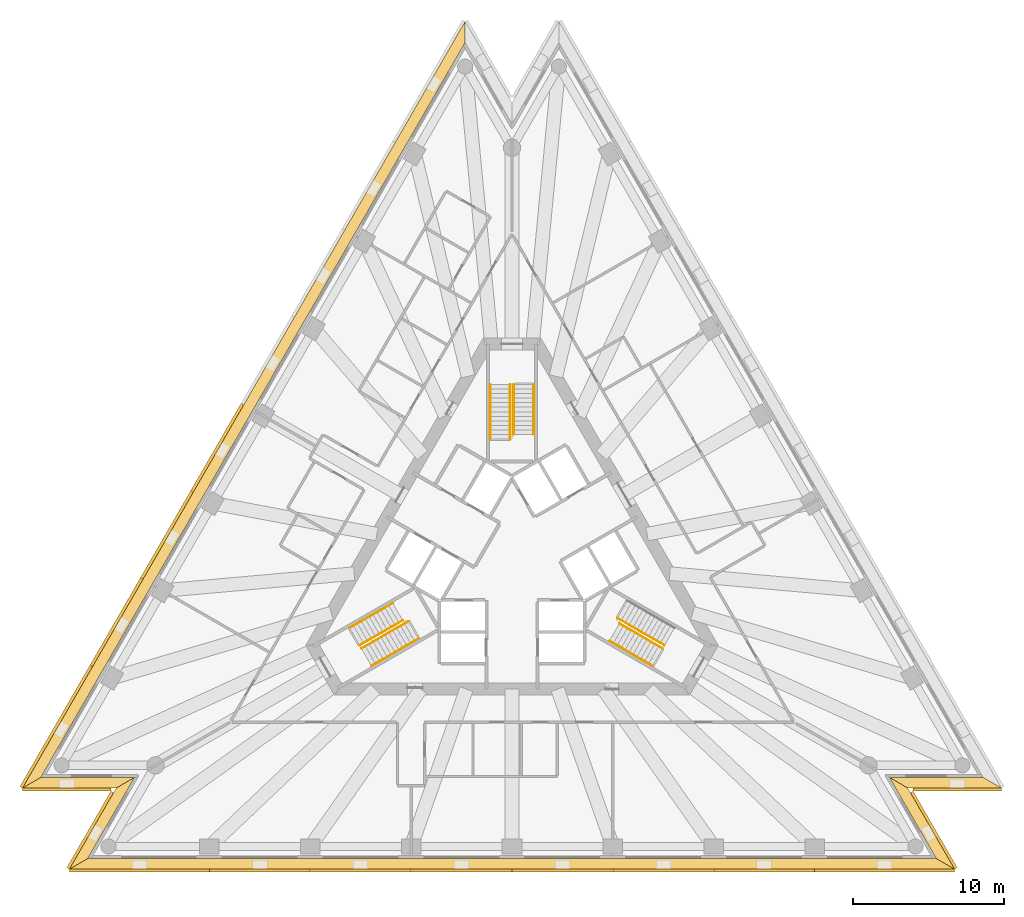
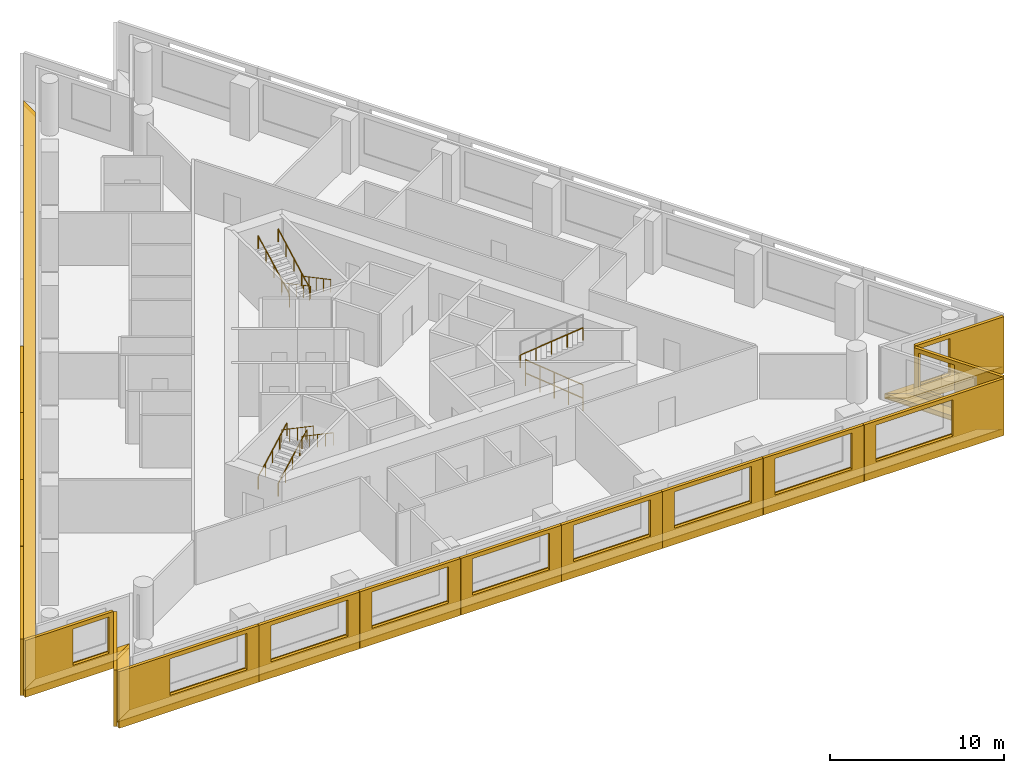
# One storey, part 8 of 9: 22 shading devices, 11 railings, 6 coverings, 3 elements without a shape of their own.
"""IFC4 building model written with IfcOpenShell, lengths in metres."""

from ifc_helpers import new_model, si_unit, direction, frame, origin, origin_2d, place, context, subcontext, project, spatial, polyline, circle, outline, extrude, material, layer, layer_set, layer_usage, type_object, element, aggregate, save


model = new_model("IFC4")

# Units and contexts
model_context = context("Model", 3, precision=1e-05, world=origin(), true_north=direction((0.0, 1.0)))
body_context = subcontext(model_context, "Body", "Model", "MODEL_VIEW")
ifc_project = project(units=[si_unit("LENGTHUNIT", "METRE"), si_unit("AREAUNIT", "SQUARE_METRE"), si_unit("VOLUMEUNIT", "CUBIC_METRE"), si_unit("PLANEANGLEUNIT", "RADIAN"), si_unit("MASSUNIT", "GRAM", prefix="KILO")], contexts=[model_context])

# Site, building, storey
site_placement = place(None, origin())
site = spatial("IfcSite", under=ifc_project, at=site_placement, CompositionType="ELEMENT")
building_placement = place(site_placement, origin())
building = spatial("IfcBuilding", under=site, at=building_placement, Name="Triada Interchange Tower", CompositionType="ELEMENT")
storey_placement = place(building_placement, frame((0.0, 0.0, 148.300048828125)))
storey = spatial("IfcBuildingStorey", under=building, at=storey_placement, Name="L34", CompositionType="ELEMENT", Elevation=148.300048828125)

# Coverings
ifc_material_1 = material(Name="Mineral fire-stop board")
ifc_layer_1 = layer(ifc_material_1, 0.0400390625, Name="Mineral fire-stop board")
ifc_material_2 = material(Name="Intumescent sealant")
ifc_layer_2 = layer(ifc_material_2, 0.010009765625, Name="Intumescent seal")
ifc_layer_set_1 = layer_set([ifc_layer_1, ifc_layer_2], Name="Cavity fire stop")
ifc_layer_usage = layer_usage(ifc_layer_set_1, "AXIS3", "POSITIVE", 0.0)
covering_type = type_object("IfcCoveringType", Name="Cavity fire stop", PredefinedType="INSULATION", material=ifc_layer_set_1)
covering_1_placement = place(storey_placement, origin())
element("IfcCovering", 1, at=covering_1_placement, inside=storey, type_object=covering_type, material=ifc_layer_usage, Name="Cavity fire stop L34 NW", PredefinedType="INSULATION", context=body_context, shape_type="SweptSolid", body=[
    extrude(outline(polyline([(-3.10791015625, 34.2939453125), (-3.10791015625, 35.694091796875), (-32.466064453125, -15.155029296875), (-31.25390625, -14.455078125), (-3.10791015625, 34.2939453125)])), origin(), (0.0, 0.0, 1.0), 0.050048828125),
])
covering_2_placement = place(storey_placement, origin())
element("IfcCovering", 2, at=covering_2_placement, inside=storey, type_object=covering_type, material=ifc_layer_usage, Name="Cavity fire stop L34 SW-1", PredefinedType="INSULATION", context=body_context, shape_type="SweptSolid", body=[
    extrude(outline(polyline([(-31.25390625, -14.455078125), (-32.466064453125, -15.155029296875), (-26.25, -15.155029296875), (-25.0380859375, -14.455078125), (-31.25390625, -14.455078125)])), origin(), (0.0, 0.0, 1.0), 0.050048828125),
])
covering_3_placement = place(storey_placement, origin())
element("IfcCovering", 3, at=covering_3_placement, inside=storey, type_object=covering_type, material=ifc_layer_usage, Name="Cavity fire stop L34 SW-2", PredefinedType="INSULATION", context=body_context, shape_type="SweptSolid", body=[
    extrude(outline(polyline([(-25.0380859375, -14.455078125), (-26.25, -15.155029296875), (-29.35791015625, -20.5390625), (-28.14599609375, -19.839111328125), (-25.0380859375, -14.455078125)])), origin(), (0.0, 0.0, 1.0), 0.050048828125),
])
covering_4_placement = place(storey_placement, origin())
element("IfcCovering", 4, at=covering_4_placement, inside=storey, type_object=covering_type, material=ifc_layer_usage, Name="Cavity fire stop L34 S", PredefinedType="INSULATION", context=body_context, shape_type="SweptSolid", body=[
    extrude(outline(polyline([(-28.14599609375, -19.839111328125), (-29.35791015625, -20.5390625), (29.35791015625, -20.5390625), (28.14599609375, -19.839111328125), (-28.14599609375, -19.839111328125)])), origin(), (0.0, 0.0, 1.0), 0.050048828125),
])
covering_5_placement = place(storey_placement, origin())
element("IfcCovering", 5, at=covering_5_placement, inside=storey, type_object=covering_type, material=ifc_layer_usage, Name="Cavity fire stop L34 SE-1", PredefinedType="INSULATION", context=body_context, shape_type="SweptSolid", body=[
    extrude(outline(polyline([(28.14599609375, -19.839111328125), (29.35791015625, -20.5390625), (26.25, -15.155029296875), (25.0380859375, -14.455078125), (28.14599609375, -19.839111328125)])), origin(), (0.0, 0.0, 1.0), 0.050048828125),
])
covering_6_placement = place(storey_placement, origin())
element("IfcCovering", 6, at=covering_6_placement, inside=storey, type_object=covering_type, material=ifc_layer_usage, Name="Cavity fire stop L34 SE-2", PredefinedType="INSULATION", context=body_context, shape_type="SweptSolid", body=[
    extrude(outline(polyline([(25.0380859375, -14.455078125), (26.25, -15.155029296875), (32.466064453125, -15.155029296875), (31.25390625, -14.455078125), (25.0380859375, -14.455078125)])), origin(), (0.0, 0.0, 1.0), 0.050048828125),
])

# Shading devices
ifc_material_3 = material(Name="Aluminium louvre", Category="aluminium")
shading_device_type_1 = type_object("IfcShadingDeviceType", Name="Cavity louvre grille", PredefinedType="JALOUSIE", material=ifc_material_3)
shading_device_1_placement = place(storey_placement, frame((0.0, 0.0, 0.050048828125)))
element("IfcShadingDevice", 7, at=shading_device_1_placement, inside=storey, type_object=shading_device_type_1, Name="Cavity louvre grille L34 NW", PredefinedType="JALOUSIE", context=body_context, shape_type="SweptSolid", body=[
    extrude(outline(polyline([(-3.10791015625, 34.2939453125), (-3.10791015625, 35.694091796875), (-32.466064453125, -15.155029296875), (-31.25390625, -14.455078125), (-3.10791015625, 34.2939453125)])), origin(), (0.0, 0.0, 1.0), 0.2998046875),
])
shading_device_2_placement = place(storey_placement, frame((0.0, 0.0, 0.050048828125)))
element("IfcShadingDevice", 8, at=shading_device_2_placement, inside=storey, type_object=shading_device_type_1, Name="Cavity louvre grille L34 SW-1", PredefinedType="JALOUSIE", context=body_context, shape_type="SweptSolid", body=[
    extrude(outline(polyline([(-31.25390625, -14.455078125), (-32.466064453125, -15.155029296875), (-26.25, -15.155029296875), (-25.0380859375, -14.455078125), (-31.25390625, -14.455078125)])), origin(), (0.0, 0.0, 1.0), 0.2998046875),
])
shading_device_3_placement = place(storey_placement, frame((0.0, 0.0, 0.050048828125)))
element("IfcShadingDevice", 9, at=shading_device_3_placement, inside=storey, type_object=shading_device_type_1, Name="Cavity louvre grille L34 SW-2", PredefinedType="JALOUSIE", context=body_context, shape_type="SweptSolid", body=[
    extrude(outline(polyline([(-25.0380859375, -14.455078125), (-26.25, -15.155029296875), (-29.35791015625, -20.5390625), (-28.14599609375, -19.839111328125), (-25.0380859375, -14.455078125)])), origin(), (0.0, 0.0, 1.0), 0.2998046875),
])
shading_device_4_placement = place(storey_placement, frame((0.0, 0.0, 0.050048828125)))
element("IfcShadingDevice", 10, at=shading_device_4_placement, inside=storey, type_object=shading_device_type_1, Name="Cavity louvre grille L34 S", PredefinedType="JALOUSIE", context=body_context, shape_type="SweptSolid", body=[
    extrude(outline(polyline([(-28.14599609375, -19.839111328125), (-29.35791015625, -20.5390625), (29.35791015625, -20.5390625), (28.14599609375, -19.839111328125), (-28.14599609375, -19.839111328125)])), origin(), (0.0, 0.0, 1.0), 0.2998046875),
])
shading_device_5_placement = place(storey_placement, frame((0.0, 0.0, 0.050048828125)))
element("IfcShadingDevice", 11, at=shading_device_5_placement, inside=storey, type_object=shading_device_type_1, Name="Cavity louvre grille L34 SE-1", PredefinedType="JALOUSIE", context=body_context, shape_type="SweptSolid", body=[
    extrude(outline(polyline([(28.14599609375, -19.839111328125), (29.35791015625, -20.5390625), (26.25, -15.155029296875), (25.0380859375, -14.455078125), (28.14599609375, -19.839111328125)])), origin(), (0.0, 0.0, 1.0), 0.2998046875),
])
shading_device_6_placement = place(storey_placement, frame((0.0, 0.0, 0.050048828125)))
element("IfcShadingDevice", 12, at=shading_device_6_placement, inside=storey, type_object=shading_device_type_1, Name="Cavity louvre grille L34 SE-2", PredefinedType="JALOUSIE", context=body_context, shape_type="SweptSolid", body=[
    extrude(outline(polyline([(25.0380859375, -14.455078125), (26.25, -15.155029296875), (32.466064453125, -15.155029296875), (31.25390625, -14.455078125), (25.0380859375, -14.455078125)])), origin(), (0.0, 0.0, 1.0), 0.2998046875),
])
ifc_material_4 = material(Name="Concrete C50/60 precast", Category="concrete")
ifc_layer_3 = layer(ifc_material_4, 0.02001953125, Name="Exposed aggregate face")
ifc_layer_4 = layer(ifc_material_4, 0.179931640625, Name="Precast concrete screen")
ifc_layer_set_2 = layer_set([ifc_layer_3, ifc_layer_4], Name="Outer skin screen panel 3980")
shading_device_type_2 = type_object("IfcShadingDeviceType", Name="Outer skin screen panel 3980", PredefinedType="SHUTTER", material=ifc_layer_set_2)
shading_device_7_placement = place(storey_placement, frame((-17.7919921875, 10.260986328125, -0.2900390625), z_axis=(0.0, 0.0, 1.0), x_axis=(-0.500028753158, -0.866008802504, 0.0)))
element("IfcShadingDevice", 13, at=shading_device_7_placement, inside=storey, type_object=shading_device_type_2, Name="Outer skin screen panel L34 05", PredefinedType="SHUTTER", context=body_context, shape_type="SweptSolid", body=[
    extrude(outline(polyline([(0.0, 0.0), (6.66943359375, 0.0), (6.66943359375, 3.97998046875), (0.0, 3.97998046875), (0.0, 0.0)]), holes=[polyline([(0.784912109375, 1.139892578125), (0.784912109375, 3.68994140625), (5.884765625, 3.68994140625), (5.884765625, 1.139892578125), (0.784912109375, 1.139892578125)])]), frame((0.0, 0.0, 0.0), z_axis=(0.0, -1.0, 0.0), x_axis=(1.0, 0.0, 0.0)), (0.0, 0.0, 1.0), 0.199951171875),
])
shading_device_8_placement = place(storey_placement, frame((-21.136962890625, 4.467041015625, -0.2900390625), z_axis=(0.0, 0.0, 1.0), x_axis=(-0.500012902398, -0.866017954453, 0.0)))
element("IfcShadingDevice", 14, at=shading_device_8_placement, inside=storey, type_object=shading_device_type_2, Name="Outer skin screen panel L34 06", PredefinedType="SHUTTER", context=body_context, shape_type="SweptSolid", body=[
    extrude(outline(polyline([(0.0, 0.0), (6.669677734375, 0.0), (6.669677734375, 3.97998046875), (0.0, 3.97998046875), (0.0, 0.0)]), holes=[polyline([(0.784912109375, 1.139892578125), (0.784912109375, 3.68994140625), (5.885009765625, 3.68994140625), (5.885009765625, 1.139892578125), (0.784912109375, 1.139892578125)])]), frame((0.0, 0.0, 0.0), z_axis=(0.0, -1.0, 0.0), x_axis=(1.0, 0.0, 0.0)), (0.0, 0.0, 1.0), 0.199951171875),
])
shading_device_9_placement = place(storey_placement, frame((-24.48193359375, -1.325927734375, -0.2900390625), z_axis=(0.0, 0.0, 1.0), x_axis=(-0.499949507731, -0.866054553547, 0.0)))
element("IfcShadingDevice", 15, at=shading_device_9_placement, inside=storey, type_object=shading_device_type_2, Name="Outer skin screen panel L34 07", PredefinedType="SHUTTER", context=body_context, shape_type="SweptSolid", body=[
    extrude(outline(polyline([(0.0, 0.0), (6.670654296875, 0.0), (6.670654296875, 3.97998046875), (0.0, 3.97998046875), (0.0, 0.0)]), holes=[polyline([(0.784912109375, 1.139892578125), (0.784912109375, 3.68994140625), (5.885009765625, 3.68994140625), (5.885009765625, 1.139892578125), (0.784912109375, 1.139892578125)])]), frame((0.0, 0.0, 0.0), z_axis=(0.0, -1.0, 0.0), x_axis=(1.0, 0.0, 0.0)), (0.0, 0.0, 1.0), 0.199951171875),
])
shading_device_10_placement = place(storey_placement, frame((-27.826904296875, -7.1201171875, -0.2900390625), z_axis=(0.0, 0.0, 1.0), x_axis=(-0.500023456952, -0.866011860483, 0.0)))
element("IfcShadingDevice", 16, at=shading_device_10_placement, inside=storey, type_object=shading_device_type_2, Name="Outer skin screen panel L34 08", PredefinedType="SHUTTER", context=body_context, shape_type="SweptSolid", body=[
    extrude(outline(polyline([(0.0, 0.0), (9.267578125, 0.0), (9.267578125, 3.97998046875), (0.0, 3.97998046875), (0.0, 0.0)]), holes=[polyline([(0.784912109375, 1.139892578125), (0.784912109375, 3.68994140625), (5.885009765625, 3.68994140625), (5.885009765625, 1.139892578125), (0.784912109375, 1.139892578125)])]), frame((0.0, 0.0, 0.0), z_axis=(0.0, -1.0, 0.0), x_axis=(1.0, 0.0, 0.0)), (0.0, 0.0, 1.0), 0.199951171875),
])
shading_device_11_placement = place(storey_placement, frame((-32.4560546875, -15.155029296875, -0.2900390625), z_axis=(0.0, 0.0, 1.0), x_axis=(1.0, 0.0, 0.0)))
element("IfcShadingDevice", 17, at=shading_device_11_placement, inside=storey, type_object=shading_device_type_2, Name="Outer skin screen panel L34 09", PredefinedType="SHUTTER", context=body_context, shape_type="SweptSolid", body=[
    extrude(outline(polyline([(0.0, 0.0), (5.84912109375, 0.0), (5.84912109375, 3.97998046875), (0.0, 3.97998046875), (0.0, 0.0)]), holes=[polyline([(3.175048828125, 1.139892578125), (3.175048828125, 3.68994140625), (5.549072265625, 3.68994140625), (5.549072265625, 1.139892578125), (3.175048828125, 1.139892578125)])]), frame((0.0, 0.0, 0.0), z_axis=(0.0, -1.0, 0.0), x_axis=(1.0, 0.0, 0.0)), (0.0, 0.0, 1.0), 0.199951171875),
])
shading_device_12_placement = place(storey_placement, frame((-26.427978515625, -15.464111328125, -0.2900390625), z_axis=(0.0, 0.0, 1.0), x_axis=(-0.500030735058, -0.866007658163, 0.0)))
element("IfcShadingDevice", 18, at=shading_device_12_placement, inside=storey, type_object=shading_device_type_2, Name="Outer skin screen panel L34 10", PredefinedType="SHUTTER", context=body_context, shape_type="SweptSolid", body=[
    extrude(outline(polyline([(0.0, 0.0), (5.849853515625, 0.0), (5.849853515625, 3.97998046875), (0.0, 3.97998046875), (0.0, 0.0)]), holes=[polyline([(0.300048828125, 1.139892578125), (0.300048828125, 3.68994140625), (2.258056640625, 3.68994140625), (2.258056640625, 1.139892578125), (0.300048828125, 1.139892578125)])]), frame((0.0, 0.0, 0.0), z_axis=(0.0, -1.0, 0.0), x_axis=(1.0, 0.0, 0.0)), (0.0, 0.0, 1.0), 0.199951171875),
])
shading_device_13_placement = place(storey_placement, frame((-29.347900390625, -20.5390625, -0.2900390625), z_axis=(0.0, 0.0, 1.0), x_axis=(1.0, 0.0, 0.0)))
element("IfcShadingDevice", 19, at=shading_device_13_placement, inside=storey, type_object=shading_device_type_2, Name="Outer skin screen panel L34 11", PredefinedType="SHUTTER", context=body_context, shape_type="SweptSolid", body=[
    extrude(outline(polyline([(0.0, 0.0), (9.267822265625, 0.0), (9.267822265625, 3.97998046875), (0.0, 3.97998046875), (0.0, 0.0)]), holes=[polyline([(3.383056640625, 1.139892578125), (3.383056640625, 3.68994140625), (8.48291015625, 3.68994140625), (8.48291015625, 1.139892578125), (3.383056640625, 1.139892578125)])]), frame((0.0, 0.0, 0.0), z_axis=(0.0, -1.0, 0.0), x_axis=(1.0, 0.0, 0.0)), (0.0, 0.0, 1.0), 0.199951171875),
])
for number, where, z_axis, x_axis, name in (
    (20, (-20.06005859375, -20.5390625, -0.2900390625), (0.0, 0.0, 1.0), (1.0, 0.0, 0.0), "Outer skin screen panel L34 12"),
    (21, (-13.3701171875, -20.5390625, -0.2900390625), (0.0, 0.0, 1.0), (1.0, 0.0, 0.0), "Outer skin screen panel L34 13"),
):
    element("IfcShadingDevice", number, at=place(storey_placement, frame(where, z_axis=z_axis, x_axis=x_axis)), inside=storey, type_object=shading_device_type_2, Name=name, PredefinedType="SHUTTER", context=body_context, shape_type="SweptSolid", body=[
        extrude(outline(polyline([(0.0, 0.0), (6.670166015625, 0.0), (6.670166015625, 3.97998046875), (0.0, 3.97998046875), (0.0, 0.0)]), holes=[polyline([(0.784912109375, 1.139892578125), (0.784912109375, 3.68994140625), (5.885009765625, 3.68994140625), (5.885009765625, 1.139892578125), (0.784912109375, 1.139892578125)])]), frame((0.0, 0.0, 0.0), z_axis=(0.0, -1.0, 0.0), x_axis=(1.0, 0.0, 0.0)), (0.0, 0.0, 1.0), 0.199951171875),
    ])
for number, where, z_axis, x_axis, name in (
    (22, (-6.679931640625, -20.5390625, -0.2900390625), (0.0, 0.0, 1.0), (1.0, 0.0, 0.0), "Outer skin screen panel L34 14"),
    (23, (0.010009765625, -20.5390625, -0.2900390625), (0.0, 0.0, 1.0), (1.0, 0.0, 0.0), "Outer skin screen panel L34 15"),
):
    element("IfcShadingDevice", number, at=place(storey_placement, frame(where, z_axis=z_axis, x_axis=x_axis)), inside=storey, type_object=shading_device_type_2, Name=name, PredefinedType="SHUTTER", context=body_context, shape_type="SweptSolid", body=[
        extrude(outline(polyline([(0.0, 0.0), (6.669921875, 0.0), (6.669921875, 3.97998046875), (0.0, 3.97998046875), (0.0, 0.0)]), holes=[polyline([(0.784912109375, 1.139892578125), (0.784912109375, 3.68994140625), (5.885009765625, 3.68994140625), (5.885009765625, 1.139892578125), (0.784912109375, 1.139892578125)])]), frame((0.0, 0.0, 0.0), z_axis=(0.0, -1.0, 0.0), x_axis=(1.0, 0.0, 0.0)), (0.0, 0.0, 1.0), 0.199951171875),
    ])
for number, where, z_axis, x_axis, name in (
    (24, (6.699951171875, -20.5390625, -0.2900390625), (0.0, 0.0, 1.0), (1.0, 0.0, 0.0), "Outer skin screen panel L34 16"),
    (25, (13.389892578125, -20.5390625, -0.2900390625), (0.0, 0.0, 1.0), (1.0, 0.0, 0.0), "Outer skin screen panel L34 17"),
):
    element("IfcShadingDevice", number, at=place(storey_placement, frame(where, z_axis=z_axis, x_axis=x_axis)), inside=storey, type_object=shading_device_type_2, Name=name, PredefinedType="SHUTTER", context=body_context, shape_type="SweptSolid", body=[
        extrude(outline(polyline([(0.0, 0.0), (6.670166015625, 0.0), (6.670166015625, 3.97998046875), (0.0, 3.97998046875), (0.0, 0.0)]), holes=[polyline([(0.784912109375, 1.139892578125), (0.784912109375, 3.68994140625), (5.885009765625, 3.68994140625), (5.885009765625, 1.139892578125), (0.784912109375, 1.139892578125)])]), frame((0.0, 0.0, 0.0), z_axis=(0.0, -1.0, 0.0), x_axis=(1.0, 0.0, 0.0)), (0.0, 0.0, 1.0), 0.199951171875),
    ])
shading_device_14_placement = place(storey_placement, frame((20.080078125, -20.5390625, -0.2900390625), z_axis=(0.0, 0.0, 1.0), x_axis=(1.0, 0.0, 0.0)))
element("IfcShadingDevice", 26, at=shading_device_14_placement, inside=storey, type_object=shading_device_type_2, Name="Outer skin screen panel L34 18", PredefinedType="SHUTTER", context=body_context, shape_type="SweptSolid", body=[
    extrude(outline(polyline([(0.0, 0.0), (9.267822265625, 0.0), (9.267822265625, 3.97998046875), (0.0, 3.97998046875), (0.0, 0.0)]), holes=[polyline([(0.784912109375, 1.139892578125), (0.784912109375, 3.68994140625), (5.885009765625, 3.68994140625), (5.885009765625, 1.139892578125), (0.784912109375, 1.139892578125)])]), frame((0.0, 0.0, 0.0), z_axis=(0.0, -1.0, 0.0), x_axis=(1.0, 0.0, 0.0)), (0.0, 0.0, 1.0), 0.199951171875),
])
shading_device_15_placement = place(storey_placement, frame((29.35302734375, -20.530029296875, -0.2900390625), z_axis=(0.0, 0.0, 1.0), x_axis=(-0.500030735058, 0.866007658163, 0.0)))
element("IfcShadingDevice", 27, at=shading_device_15_placement, inside=storey, type_object=shading_device_type_2, Name="Outer skin screen panel L34 19", PredefinedType="SHUTTER", context=body_context, shape_type="SweptSolid", body=[
    extrude(outline(polyline([(0.0, 0.0), (5.849853515625, 0.0), (5.849853515625, 3.97998046875), (0.0, 3.97998046875), (0.0, 0.0)]), holes=[polyline([(3.17529296875, 1.139892578125), (3.17529296875, 3.68994140625), (5.550048828125, 3.68994140625), (5.550048828125, 1.139892578125), (3.17529296875, 1.139892578125)])]), frame((0.0, 0.0, 0.0), z_axis=(0.0, -1.0, 0.0), x_axis=(1.0, 0.0, 0.0)), (0.0, 0.0, 1.0), 0.199951171875),
])
shading_device_16_placement = place(storey_placement, frame((26.60693359375, -15.155029296875, -0.2900390625), z_axis=(0.0, 0.0, 1.0), x_axis=(1.0, 0.0, 0.0)))
element("IfcShadingDevice", 28, at=shading_device_16_placement, inside=storey, type_object=shading_device_type_2, Name="Outer skin screen panel L34 20", PredefinedType="SHUTTER", context=body_context, shape_type="SweptSolid", body=[
    extrude(outline(polyline([(0.0, 0.0), (5.84912109375, 0.0), (5.84912109375, 3.97998046875), (0.0, 3.97998046875), (0.0, 0.0)]), holes=[polyline([(0.300048828125, 1.139892578125), (0.300048828125, 3.68994140625), (2.258056640625, 3.68994140625), (2.258056640625, 1.139892578125), (0.300048828125, 1.139892578125)])]), frame((0.0, 0.0, 0.0), z_axis=(0.0, -1.0, 0.0), x_axis=(1.0, 0.0, 0.0)), (0.0, 0.0, 1.0), 0.199951171875),
])

# Stair, railings
ifc_material_5 = material(Name="Concrete C35/45", Category="concrete")
stair_type = type_object("IfcStairType", Name="HALF TURN STAIR 1400", PredefinedType="HALF_TURN_STAIR", material=ifc_material_5)
stair_1_placement = place(storey_placement, origin())
stair_1 = element("IfcStair", 29, at=stair_1_placement, inside=storey, type_object=stair_type, Name="Exit stair S32-1", PredefinedType="HALF_TURN_STAIR")
ifc_material_6 = material(Name="Stainless steel 1.4301", Category="steel")
railing_type = type_object("IfcRailingType", Name="STAIR HANDRAIL 900", PredefinedType="HANDRAIL", material=ifc_material_6)
railing_1_placement = place(storey_placement, frame((1.449951171875, 11.60009765625, 0.159912109375)))
railing_1 = element("IfcRailing", 30, at=railing_1_placement, type_object=railing_type, Name="Handrail S32-1 1W", PredefinedType="HANDRAIL", context=body_context, shape_type="SweptSolid", body=[
    extrude(circle(Radius=0.02392578125, at=origin_2d()), frame((0.0, 0.0, 0.8759765625), z_axis=(0.0, -0.882354748157, 0.47058484719), x_axis=(1.0, 0.0, 0.0)), (0.0, 0.0, 1.0), 3.739990234375),
    extrude(circle(Radius=0.02099609375, at=origin_2d()), origin(), (0.0, 0.0, 1.0), 0.851806640625),
    extrude(circle(Radius=0.02099609375, at=origin_2d()), frame((0.0, -0.824951171875, 0.43994140625)), (0.0, 0.0, 1.0), 0.851806640625),
    extrude(circle(Radius=0.02099609375, at=origin_2d()), frame((0.0, -1.64990234375, 0.8798828125)), (0.0, 0.0, 1.0), 0.851806640625),
    extrude(circle(Radius=0.02099609375, at=origin_2d()), frame((0.0, -2.47509765625, 1.320068359375)), (0.0, 0.0, 1.0), 0.851806640625),
    extrude(circle(Radius=0.02099609375, at=origin_2d()), frame((0.0, -3.300048828125, 1.760009765625)), (0.0, 0.0, 1.0), 0.851806640625),
])
railing_2_placement = place(storey_placement, frame((0.1201171875, 11.60009765625, 0.159912109375)))
railing_2 = element("IfcRailing", 31, at=railing_2_placement, type_object=railing_type, Name="Handrail S32-1 1C", PredefinedType="HANDRAIL", context=body_context, shape_type="SweptSolid", body=[
    extrude(circle(Radius=0.02392578125, at=origin_2d()), frame((0.0, 0.0, 0.8759765625), z_axis=(0.0, -0.882354748157, 0.47058484719), x_axis=(1.0, 0.0, 0.0)), (0.0, 0.0, 1.0), 3.739990234375),
    extrude(circle(Radius=0.02099609375, at=origin_2d()), origin(), (0.0, 0.0, 1.0), 0.851806640625),
    extrude(circle(Radius=0.02099609375, at=origin_2d()), frame((0.0, -0.824951171875, 0.43994140625)), (0.0, 0.0, 1.0), 0.851806640625),
    extrude(circle(Radius=0.02099609375, at=origin_2d()), frame((0.0, -1.64990234375, 0.8798828125)), (0.0, 0.0, 1.0), 0.851806640625),
    extrude(circle(Radius=0.02099609375, at=origin_2d()), frame((0.0, -2.47509765625, 1.320068359375)), (0.0, 0.0, 1.0), 0.851806640625),
    extrude(circle(Radius=0.02099609375, at=origin_2d()), frame((0.0, -3.300048828125, 1.760009765625)), (0.0, 0.0, 1.0), 0.851806640625),
])
railing_3_placement = place(storey_placement, frame((-1.449951171875, 8.0, 2.079833984375)))
railing_3 = element("IfcRailing", 32, at=railing_3_placement, type_object=railing_type, Name="Handrail S32-1 2W", PredefinedType="HANDRAIL", context=body_context, shape_type="SweptSolid", body=[
    extrude(circle(Radius=0.02392578125, at=origin_2d()), frame((0.0, 0.0, 0.8759765625), z_axis=(0.0, 0.882341346394, 0.470609974867), x_axis=(-1.0, 0.0, 0.0)), (0.0, 0.0, 1.0), 4.080078125),
    extrude(circle(Radius=0.02099609375, at=origin_2d()), origin(), (0.0, 0.0, 1.0), 0.851806640625),
    extrude(circle(Radius=0.02099609375, at=origin_2d()), frame((0.0, 0.89990234375, 0.47998046875)), (0.0, 0.0, 1.0), 0.851806640625),
    extrude(circle(Radius=0.02099609375, at=origin_2d()), frame((0.0, 1.800048828125, 0.9599609375)), (0.0, 0.0, 1.0), 0.851806640625),
    extrude(circle(Radius=0.02099609375, at=origin_2d()), frame((0.0, 2.7001953125, 1.440185546875)), (0.0, 0.0, 1.0), 0.851806640625),
    extrude(circle(Radius=0.02099609375, at=origin_2d()), frame((0.0, 3.60009765625, 1.920166015625)), (0.0, 0.0, 1.0), 0.851806640625),
])
railing_4_placement = place(storey_placement, frame((-0.1201171875, 8.0, 2.079833984375)))
railing_4 = element("IfcRailing", 33, at=railing_4_placement, type_object=railing_type, Name="Handrail S32-1 2C", PredefinedType="HANDRAIL", context=body_context, shape_type="SweptSolid", body=[
    extrude(circle(Radius=0.02392578125, at=origin_2d()), frame((0.0, 0.0, 0.8759765625), z_axis=(0.0, 0.882341346394, 0.470609974867), x_axis=(-1.0, 0.0, 0.0)), (0.0, 0.0, 1.0), 4.080078125),
    extrude(circle(Radius=0.02099609375, at=origin_2d()), origin(), (0.0, 0.0, 1.0), 0.851806640625),
    extrude(circle(Radius=0.02099609375, at=origin_2d()), frame((0.0, 0.89990234375, 0.47998046875)), (0.0, 0.0, 1.0), 0.851806640625),
    extrude(circle(Radius=0.02099609375, at=origin_2d()), frame((0.0, 1.800048828125, 0.9599609375)), (0.0, 0.0, 1.0), 0.851806640625),
    extrude(circle(Radius=0.02099609375, at=origin_2d()), frame((0.0, 2.7001953125, 1.440185546875)), (0.0, 0.0, 1.0), 0.851806640625),
    extrude(circle(Radius=0.02099609375, at=origin_2d()), frame((0.0, 3.60009765625, 1.920166015625)), (0.0, 0.0, 1.0), 0.851806640625),
])
aggregate(stair_1, [railing_1, railing_2, railing_3, railing_4])

stair_2_placement = place(storey_placement, origin())
stair_2 = element("IfcStair", 34, at=stair_2_placement, inside=storey, type_object=stair_type, Name="Exit stair S32-2", PredefinedType="HALF_TURN_STAIR")
railing_5_placement = place(storey_placement, frame((-10.77099609375, -4.5439453125, 0.159912109375)))
railing_5 = element("IfcRailing", 35, at=railing_5_placement, type_object=railing_type, Name="Handrail S32-2 1W", PredefinedType="HANDRAIL", context=body_context, shape_type="SweptSolid", body=[
    extrude(circle(Radius=0.02392578125, at=origin_2d()), frame((0.0, 0.0, 0.8759765625), z_axis=(0.764150854273, 0.441152526326, 0.470593158077), x_axis=(-0.499974350878, 0.866040211805, 0.0)), (0.0, 0.0, 1.0), 3.739990234375),
    extrude(circle(Radius=0.02099609375, at=origin_2d()), origin(), (0.0, 0.0, 1.0), 0.851806640625),
    extrude(circle(Radius=0.02099609375, at=origin_2d()), frame((0.71435546875, 0.41259765625, 0.43994140625)), (0.0, 0.0, 1.0), 0.851806640625),
    extrude(circle(Radius=0.02099609375, at=origin_2d()), frame((1.428955078125, 0.824951171875, 0.8798828125)), (0.0, 0.0, 1.0), 0.851806640625),
    extrude(circle(Radius=0.02099609375, at=origin_2d()), frame((2.1435546875, 1.2373046875, 1.320068359375)), (0.0, 0.0, 1.0), 0.851806640625),
    extrude(circle(Radius=0.02099609375, at=origin_2d()), frame((2.85791015625, 1.64990234375, 1.760009765625)), (0.0, 0.0, 1.0), 0.851806640625),
])
railing_6_placement = place(storey_placement, frame((-10.10595703125, -5.696044921875, 0.159912109375)))
railing_6 = element("IfcRailing", 36, at=railing_6_placement, type_object=railing_type, Name="Handrail S32-2 1C", PredefinedType="HANDRAIL", context=body_context, shape_type="SweptSolid", body=[
    extrude(circle(Radius=0.02392578125, at=origin_2d()), frame((0.0, 0.0, 0.8759765625), z_axis=(0.76412884773, 0.441205098395, 0.470579605611), x_axis=(-0.50002983664, 0.866008176907, 0.0)), (0.0, 0.0, 1.0), 3.739990234375),
    extrude(circle(Radius=0.02099609375, at=origin_2d()), origin(), (0.0, 0.0, 1.0), 0.851806640625),
    extrude(circle(Radius=0.02099609375, at=origin_2d()), frame((0.71435546875, 0.41259765625, 0.43994140625)), (0.0, 0.0, 1.0), 0.851806640625),
    extrude(circle(Radius=0.02099609375, at=origin_2d()), frame((1.428955078125, 0.8251953125, 0.8798828125)), (0.0, 0.0, 1.0), 0.851806640625),
    extrude(circle(Radius=0.02099609375, at=origin_2d()), frame((2.1435546875, 1.237548828125, 1.320068359375)), (0.0, 0.0, 1.0), 0.851806640625),
    extrude(circle(Radius=0.02099609375, at=origin_2d()), frame((2.85791015625, 1.650146484375, 1.760009765625)), (0.0, 0.0, 1.0), 0.851806640625),
])
railing_7_placement = place(storey_placement, frame((-6.202880859375, -5.256103515625, 2.079833984375)))
railing_7 = element("IfcRailing", 37, at=railing_7_placement, type_object=railing_type, Name="Handrail S32-2 2W", PredefinedType="HANDRAIL", context=body_context, shape_type="SweptSolid", body=[
    extrude(circle(Radius=0.02392578125, at=origin_2d()), frame((0.0, 0.0, 0.8759765625), z_axis=(-0.764189758314, -0.441090424232, 0.470588196769), x_axis=(0.499902469156, -0.866081705922, 0.0)), (0.0, 0.0, 1.0), 4.080322265625),
    extrude(circle(Radius=0.02099609375, at=origin_2d()), origin(), (0.0, 0.0, 1.0), 0.851806640625),
    extrude(circle(Radius=0.02099609375, at=origin_2d()), frame((-0.779541015625, -0.449951171875, 0.47998046875)), (0.0, 0.0, 1.0), 0.851806640625),
    extrude(circle(Radius=0.02099609375, at=origin_2d()), frame((-1.55908203125, -0.89990234375, 0.9599609375)), (0.0, 0.0, 1.0), 0.851806640625),
    extrude(circle(Radius=0.02099609375, at=origin_2d()), frame((-2.338623046875, -1.349853515625, 1.440185546875)), (0.0, 0.0, 1.0), 0.851806640625),
    extrude(circle(Radius=0.02099609375, at=origin_2d()), frame((-3.1181640625, -1.7998046875, 1.920166015625)), (0.0, 0.0, 1.0), 0.851806640625),
])
railing_8_placement = place(storey_placement, frame((-6.867919921875, -4.10400390625, 2.079833984375)))
railing_8 = element("IfcRailing", 38, at=railing_8_placement, type_object=railing_type, Name="Handrail S32-2 2C", PredefinedType="HANDRAIL", context=body_context, shape_type="SweptSolid", body=[
    extrude(circle(Radius=0.02392578125, at=origin_2d()), frame((0.0, 0.0, 0.8759765625), z_axis=(-0.764169589359, -0.441138614339, 0.470575776723), x_axis=(0.49995333141, -0.866052346231, 0.0)), (0.0, 0.0, 1.0), 4.08056640625),
    extrude(circle(Radius=0.02099609375, at=origin_2d()), origin(), (0.0, 0.0, 1.0), 0.851806640625),
    extrude(circle(Radius=0.02099609375, at=origin_2d()), frame((-0.779541015625, -0.449951171875, 0.47998046875)), (0.0, 0.0, 1.0), 0.851806640625),
    extrude(circle(Radius=0.02099609375, at=origin_2d()), frame((-1.55908203125, -0.89990234375, 0.9599609375)), (0.0, 0.0, 1.0), 0.851806640625),
    extrude(circle(Radius=0.02099609375, at=origin_2d()), frame((-2.338623046875, -1.35009765625, 1.440185546875)), (0.0, 0.0, 1.0), 0.851806640625),
    extrude(circle(Radius=0.02099609375, at=origin_2d()), frame((-3.1181640625, -1.800048828125, 1.920166015625)), (0.0, 0.0, 1.0), 0.851806640625),
])
aggregate(stair_2, [railing_5, railing_6, railing_7, railing_8])

stair_3_placement = place(storey_placement, origin())
stair_3 = element("IfcStair", 39, at=stair_3_placement, inside=storey, type_object=stair_type, Name="Exit stair S32-3", PredefinedType="HALF_TURN_STAIR")
railing_9_placement = place(storey_placement, frame((9.321044921875, -7.055908203125, 0.159912109375)))
railing_9 = element("IfcRailing", 40, at=railing_9_placement, type_object=railing_type, Name="Handrail S32-3 1W", PredefinedType="HANDRAIL", context=body_context, shape_type="SweptSolid", body=[
    extrude(circle(Radius=0.02392578125, at=origin_2d()), frame((0.0, 0.0, 0.8759765625), z_axis=(-0.764178012919, 0.441130521168, 0.470569684388), x_axis=(-0.499942318283, -0.866058703778, 0.0)), (0.0, 0.0, 1.0), 3.740234375),
    extrude(circle(Radius=0.02099609375, at=origin_2d()), origin(), (0.0, 0.0, 1.0), 0.851806640625),
    extrude(circle(Radius=0.02099609375, at=origin_2d()), frame((-0.714599609375, 0.41259765625, 0.43994140625)), (0.0, 0.0, 1.0), 0.851806640625),
    extrude(circle(Radius=0.02099609375, at=origin_2d()), frame((-1.42919921875, 0.824951171875, 0.8798828125)), (0.0, 0.0, 1.0), 0.851806640625),
    extrude(circle(Radius=0.02099609375, at=origin_2d()), frame((-2.1435546875, 1.2373046875, 1.320068359375)), (0.0, 0.0, 1.0), 0.851806640625),
    extrude(circle(Radius=0.02099609375, at=origin_2d()), frame((-2.858154296875, 1.64990234375, 1.760009765625)), (0.0, 0.0, 1.0), 0.851806640625),
])
railing_10_placement = place(storey_placement, frame((9.986083984375, -5.904052734375, 0.159912109375)))
railing_10 = element("IfcRailing", 41, at=railing_10_placement, type_object=railing_type, Name="Handrail S32-3 1C", PredefinedType="HANDRAIL", context=body_context, shape_type="SweptSolid", body=[
    extrude(circle(Radius=0.02392578125, at=origin_2d()), frame((0.0, 0.0, 0.8759765625), z_axis=(-0.764156007789, 0.441183091881, 0.47055613395), x_axis=(-0.49999780286, -0.8660266723, 0.0)), (0.0, 0.0, 1.0), 3.740234375),
    extrude(circle(Radius=0.02099609375, at=origin_2d()), origin(), (0.0, 0.0, 1.0), 0.851806640625),
    extrude(circle(Radius=0.02099609375, at=origin_2d()), frame((-0.714599609375, 0.41259765625, 0.43994140625)), (0.0, 0.0, 1.0), 0.851806640625),
    extrude(circle(Radius=0.02099609375, at=origin_2d()), frame((-1.42919921875, 0.8251953125, 0.8798828125)), (0.0, 0.0, 1.0), 0.851806640625),
    extrude(circle(Radius=0.02099609375, at=origin_2d()), frame((-2.1435546875, 1.237548828125, 1.320068359375)), (0.0, 0.0, 1.0), 0.851806640625),
    extrude(circle(Radius=0.02099609375, at=origin_2d()), frame((-2.858154296875, 1.650146484375, 1.760009765625)), (0.0, 0.0, 1.0), 0.851806640625),
])
railing_11_placement = place(storey_placement, frame((6.988037109375, -3.89599609375, 2.079833984375)))
railing_11 = element("IfcRailing", 42, at=railing_11_placement, type_object=railing_type, Name="Handrail S32-3 2C", PredefinedType="HANDRAIL", context=body_context, shape_type="SweptSolid", body=[
    extrude(circle(Radius=0.02392578125, at=origin_2d()), frame((0.0, 0.0, 0.8759765625), z_axis=(0.76414469501, -0.441158784458, 0.470597292793), x_axis=(0.499982693035, 0.866035395735, 0.0)), (0.0, 0.0, 1.0), 4.080322265625),
    extrude(circle(Radius=0.02099609375, at=origin_2d()), origin(), (0.0, 0.0, 1.0), 0.851806640625),
    extrude(circle(Radius=0.02099609375, at=origin_2d()), frame((0.779541015625, -0.449951171875, 0.47998046875)), (0.0, 0.0, 1.0), 0.851806640625),
    extrude(circle(Radius=0.02099609375, at=origin_2d()), frame((1.55908203125, -0.89990234375, 0.9599609375)), (0.0, 0.0, 1.0), 0.851806640625),
    extrude(circle(Radius=0.02099609375, at=origin_2d()), frame((2.33837890625, -1.35009765625, 1.440185546875)), (0.0, 0.0, 1.0), 0.851806640625),
    extrude(circle(Radius=0.02099609375, at=origin_2d()), frame((3.117919921875, -1.800048828125, 1.920166015625)), (0.0, 0.0, 1.0), 0.851806640625),
])
aggregate(stair_3, [railing_9, railing_10, railing_11])

save(model, "model.ifc")
